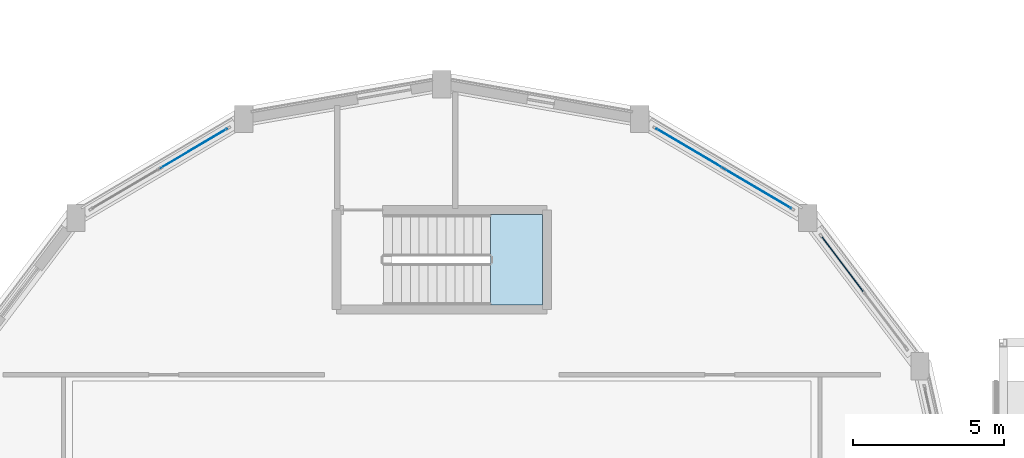
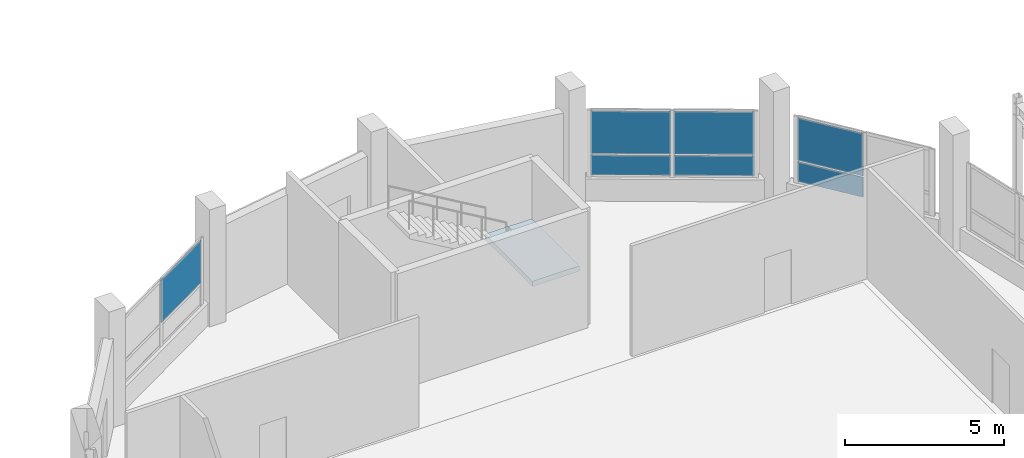
# One storey, part 104 of 129: 7 plates, 1 slab, 4 elements without a shape of their own.
"""IFC4 building model written with IfcOpenShell, lengths in metres."""

from ifc_helpers import new_model, si_unit, direction, frame, origin, origin_2d, place, context, subcontext, project, spatial, polyline, rectangle, outline, extrude, material, layer, layer_set, type_object, element, aggregate, save


model = new_model("IFC4")

# Units and contexts
model_context = context("Model", 3, precision=1e-05, world=origin(), true_north=direction((0.0, 1.0)))
body_context = subcontext(model_context, "Body", "Model", "MODEL_VIEW")
ifc_project = project(units=[si_unit("LENGTHUNIT", "METRE"), si_unit("AREAUNIT", "SQUARE_METRE"), si_unit("VOLUMEUNIT", "CUBIC_METRE"), si_unit("PLANEANGLEUNIT", "RADIAN"), si_unit("MASSUNIT", "GRAM", prefix="KILO")], contexts=[model_context])

# Site, building, storey
site_placement = place(None, origin())
site = spatial("IfcSite", under=ifc_project, at=site_placement, CompositionType="ELEMENT")
building_placement = place(site_placement, origin())
building = spatial("IfcBuilding", under=site, at=building_placement, Name="Vespera Passage Community Centre", CompositionType="ELEMENT")
storey_placement = place(building_placement, origin())
storey = spatial("IfcBuildingStorey", under=building, at=storey_placement, Name="L00", CompositionType="ELEMENT", Elevation=0.0)

# Curtain wall, plates
ifc_material_1 = material(Name="Anodized aluminium 6063-T6", Category="aluminium")
ifc_layer_1 = layer(ifc_material_1, 0.159912109375)
ifc_layer_set_1 = layer_set([ifc_layer_1], Name="Anodized aluminium 6063-T6")
curtain_wall_type_1 = type_object("IfcCurtainWallType", Name="CW-90E", PredefinedType="NOTDEFINED", material=ifc_layer_set_1)
curtain_wall_1_placement = place(storey_placement, origin())
curtain_wall_1 = element("IfcCurtainWall", 1, at=curtain_wall_1_placement, inside=storey, type_object=curtain_wall_type_1, Name="Sports Drum Ribbon Curtain Wall L00.2", PredefinedType="NOTDEFINED")
ifc_material_2 = material(Name="Low-E insulated vision glass", Category="glass")
ifc_layer_2 = layer(ifc_material_2, 0.028076171875)
ifc_layer_set_2 = layer_set([ifc_layer_2], Name="Low-E insulated vision glass")
plate_type = type_object("IfcPlateType", Name="PL-CWP-28E", PredefinedType="CURTAIN_PANEL", material=ifc_layer_set_2)
plate_1_placement = place(storey_placement, frame((156.244384765625, 98.65380859375, 0.91015625), z_axis=(0.0, 0.0, 1.0), x_axis=(0.603405522961, -0.797434495654, 0.0)))
plate_1 = element("IfcPlate", 2, at=plate_1_placement, type_object=plate_type, Name="CW-90E panel 1.1", PredefinedType="CURTAIN_PANEL", context=body_context, shape_type="SweptSolid", body=[
    extrude(rectangle(XDim=2.246826171875, YDim=0.028076171875, at=origin_2d()), origin(), (0.0, 0.0, 1.0), 0.760009765625),
])
plate_2_placement = place(storey_placement, frame((156.244384765625, 98.65380859375, 1.72998046875), z_axis=(0.0, 0.0, 1.0), x_axis=(0.603405522961, -0.797434495654, 0.0)))
plate_2 = element("IfcPlate", 3, at=plate_2_placement, type_object=plate_type, Name="CW-90E panel 1.2", PredefinedType="CURTAIN_PANEL", context=body_context, shape_type="SweptSolid", body=[
    extrude(rectangle(XDim=2.246826171875, YDim=0.028076171875, at=origin_2d()), origin(), (0.0, 0.0, 1.0), 1.635009765625),
])
aggregate(curtain_wall_1, [plate_1, plate_2])

ifc_material_3 = material(Name="Anodized aluminium 6063-T6", Category="aluminium")
ifc_layer_3 = layer(ifc_material_3, 0.159912109375)
ifc_layer_set_3 = layer_set([ifc_layer_3], Name="Anodized aluminium 6063-T6")
curtain_wall_type_2 = type_object("IfcCurtainWallType", Name="CW-91E", PredefinedType="NOTDEFINED", material=ifc_layer_set_3)
curtain_wall_2_placement = place(storey_placement, origin())
curtain_wall_2 = element("IfcCurtainWall", 4, at=curtain_wall_2_placement, inside=storey, type_object=curtain_wall_type_2, Name="Sports Drum Ribbon Curtain Wall L00.3", PredefinedType="NOTDEFINED")
plate_3_placement = place(storey_placement, frame((151.189453125, 102.4794921875, 0.91015625), z_axis=(0.0, 0.0, 1.0), x_axis=(0.861256740157, -0.50817007737, 0.0)))
plate_3 = element("IfcPlate", 5, at=plate_3_placement, type_object=plate_type, Name="CW-91E panel 1.1", PredefinedType="CURTAIN_PANEL", context=body_context, shape_type="SweptSolid", body=[
    extrude(rectangle(XDim=2.544677734375, YDim=0.028076171875, at=origin_2d()), origin(), (0.0, 0.0, 1.0), 0.760009765625),
])
plate_4_placement = place(storey_placement, frame((151.189453125, 102.4794921875, 1.72998046875), z_axis=(0.0, 0.0, 1.0), x_axis=(0.861256740157, -0.50817007737, 0.0)))
plate_4 = element("IfcPlate", 6, at=plate_4_placement, type_object=plate_type, Name="CW-91E panel 1.2", PredefinedType="CURTAIN_PANEL", context=body_context, shape_type="SweptSolid", body=[
    extrude(rectangle(XDim=2.544677734375, YDim=0.028076171875, at=origin_2d()), origin(), (0.0, 0.0, 1.0), 1.635009765625),
])
plate_5_placement = place(storey_placement, frame((153.44580078125, 101.148193359375, 0.91015625), z_axis=(0.0, 0.0, 1.0), x_axis=(0.861256740157, -0.50817007737, 0.0)))
plate_5 = element("IfcPlate", 7, at=plate_5_placement, type_object=plate_type, Name="CW-91E panel 2.1", PredefinedType="CURTAIN_PANEL", context=body_context, shape_type="SweptSolid", body=[
    extrude(rectangle(XDim=2.544677734375, YDim=0.028076171875, at=origin_2d()), origin(), (0.0, 0.0, 1.0), 0.760009765625),
])
plate_6_placement = place(storey_placement, frame((153.44580078125, 101.148193359375, 1.72998046875), z_axis=(0.0, 0.0, 1.0), x_axis=(0.861256740157, -0.50817007737, 0.0)))
plate_6 = element("IfcPlate", 8, at=plate_6_placement, type_object=plate_type, Name="CW-91E panel 2.2", PredefinedType="CURTAIN_PANEL", context=body_context, shape_type="SweptSolid", body=[
    extrude(rectangle(XDim=2.544677734375, YDim=0.028076171875, at=origin_2d()), origin(), (0.0, 0.0, 1.0), 1.635009765625),
])
aggregate(curtain_wall_2, [plate_3, plate_4, plate_5, plate_6])

# Curtain wall, plate
curtain_wall_3_placement = place(storey_placement, origin())
curtain_wall_3 = element("IfcCurtainWall", 9, at=curtain_wall_3_placement, inside=storey, type_object=curtain_wall_type_2, Name="Sports Drum Ribbon Curtain Wall L00.6", PredefinedType="NOTDEFINED")
plate_7_placement = place(storey_placement, frame((134.810546875, 102.4794921875, 1.72998046875), z_axis=(0.0, 0.0, 1.0), x_axis=(0.861256740157, 0.50817007737, 0.0)))
plate_7 = element("IfcPlate", 10, at=plate_7_placement, type_object=plate_type, Name="CW-91E panel 2.2", PredefinedType="CURTAIN_PANEL", context=body_context, shape_type="SweptSolid", body=[
    extrude(rectangle(XDim=2.544677734375, YDim=0.028076171875, at=origin_2d()), origin(), (0.0, 0.0, 1.0), 1.635009765625),
])
aggregate(curtain_wall_3, [plate_7])

# Stair, slab
ifc_material_4 = material(Name="Concrete f'c 35 MPa", Category="concrete")
stair_type = type_object("IfcStairType", Name="ST-T08", PredefinedType="HALF_TURN_STAIR", material=ifc_material_4)
stair_placement = place(storey_placement, origin())
stair = element("IfcStair", 11, at=stair_placement, inside=storey, type_object=stair_type, Name="L00 Core C6 Exit Stair ST07", PredefinedType="HALF_TURN_STAIR")
ifc_material_5 = material(Name="Concrete f'c 35 MPa", Category="concrete")
ifc_layer_4 = layer(ifc_material_5, 0.199951171875)
ifc_layer_set_4 = layer_set([ifc_layer_4], Name="Concrete f'c 35 MPa")
slab_type = type_object("IfcSlabType", Name="SL-LAND-200I", PredefinedType="LANDING", material=ifc_layer_set_4)
slab_placement = place(storey_placement, frame((0.0, 0.0, 2.050048828125)))
slab = element("IfcSlab", 12, at=slab_placement, type_object=slab_type, Name="ST07 landing 1", PredefinedType="LANDING", context=body_context, shape_type="SweptSolid", body=[
    extrude(outline(polyline([(144.614990234375, 97.300048828125), (146.324951171875, 97.300048828125), (146.324951171875, 100.300048828125), (144.614990234375, 100.300048828125), (144.614990234375, 97.300048828125)])), origin(), (0.0, 0.0, 1.0), 0.199951171875),
])
aggregate(stair, [slab])

save(model, "model.ifc")
